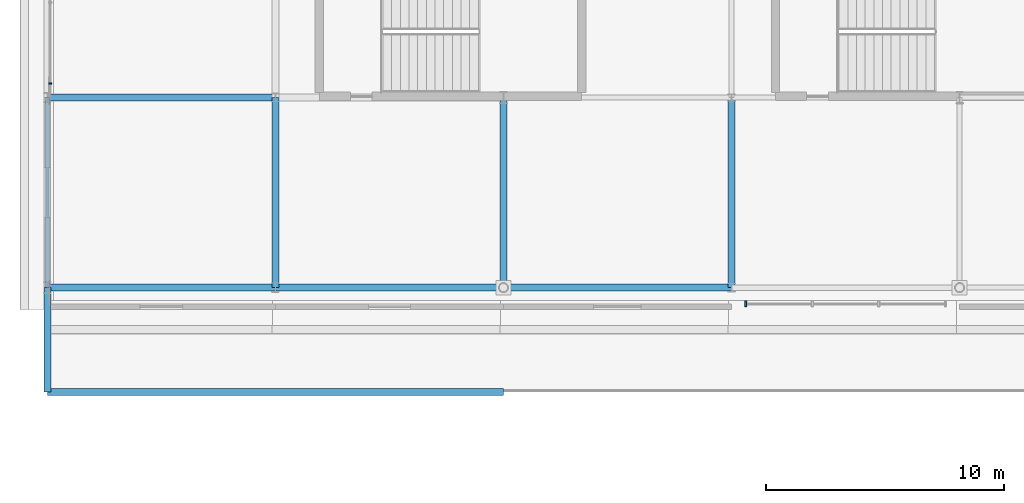
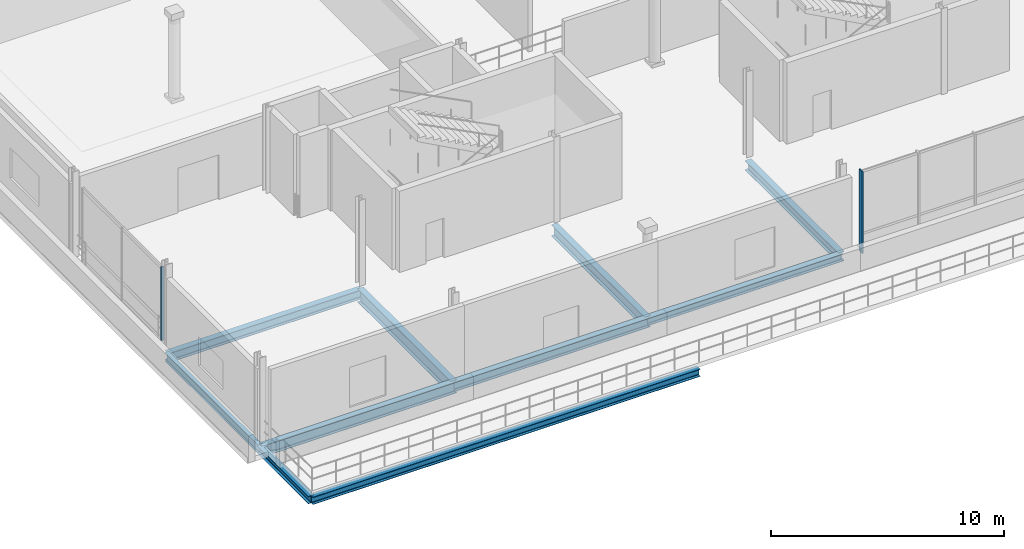
# One storey, part 7 of 36: 10 beams, 2 members, 2 elements without a shape of their own.
"""IFC4 building model written with IfcOpenShell, lengths in metres."""

import ifcopenshell
import ifcopenshell.guid

model = None  # the IFC model being written
_history = None  # IfcOwnerHistory: only IFC2X3 demands one
_inside = {}  # id of a spatial element -> (the spatial element, [elements in it])
_under = {}  # id of a project, library or spatial element -> (it, [spatial elements below it])
_declared = {}  # id of a project -> (the project, [libraries it declares])
_typed = {}  # id of a type object -> (the type object, [elements of that type])
_made_of = {}  # id of a material, layer set ... -> (it, [elements and type objects made of it])


def new_model(schema):
    """Start an empty IFC model of exactly this schema.

    Asked for "IFC4X3", IfcOpenShell would pick the latest addendum, in which some entities
    have other attributes; the version numbers below select the first issue.
    IFC2X3 requires an IfcOwnerHistory on every rooted entity: one is made here for all.
    """
    global model, _history
    if schema == "IFC4X3":
        model = ifcopenshell.file(schema_version=(4, 3, 0, 0))
    else:
        model = ifcopenshell.file(schema=schema)
    _inside.clear()
    _under.clear()
    _declared.clear()
    _typed.clear()
    _made_of.clear()
    _history = None
    if model.schema == "IFC2X3":
        org = make("IfcOrganization", Name="unknown")
        user = make(
            "IfcPersonAndOrganization",
            ThePerson=make("IfcPerson", FamilyName="unknown"),
            TheOrganization=org,
        )
        app = make(
            "IfcApplication",
            ApplicationDeveloper=org,
            Version="unknown",
            ApplicationFullName="unknown",
            ApplicationIdentifier="unknown",
        )
        _history = make(
            "IfcOwnerHistory",
            OwningUser=user,
            OwningApplication=app,
            ChangeAction="ADDED",
            CreationDate=0,
        )
    return model


def make(cls, **values):
    """One entity of the class cls with the attributes given. An attribute that is None is left unset."""
    return model.create_entity(
        cls, **{name: value for name, value in values.items() if value is not None}
    )


def rooted(cls, **values):
    """An entity with a GlobalId (a new one), such as an element, a storey or a relation."""
    return make(cls, GlobalId=ifcopenshell.guid.new(), OwnerHistory=_history, **values)


def si_unit(unit_type, name, prefix=None):
    """IfcSIUnit, for example si_unit("LENGTHUNIT", "METRE", prefix="MILLI")."""
    return make("IfcSIUnit", UnitType=unit_type, Prefix=prefix, Name=name)


def assignment(units):
    """IfcUnitAssignment: the units of a project."""
    return None if units is None else make("IfcUnitAssignment", Units=units)


def point(xyz):
    """IfcCartesianPoint."""
    return None if xyz is None else make("IfcCartesianPoint", Coordinates=xyz)


def direction(xyz):
    """IfcDirection."""
    return None if xyz is None else make("IfcDirection", DirectionRatios=xyz)


def frame(location, z_axis=None, x_axis=None):
    """IfcAxis2Placement3D, a coordinate frame: its origin and axes. An axis left out is left unset."""
    return make(
        "IfcAxis2Placement3D",
        Location=point(location),
        Axis=direction(z_axis),
        RefDirection=direction(x_axis),
    )


def frame_2d(location, x_axis=None):
    """IfcAxis2Placement2D, a coordinate frame in the plane: its origin and x axis."""
    return make(
        "IfcAxis2Placement2D", Location=point(location), RefDirection=direction(x_axis)
    )


def origin():
    """The frame at (0, 0, 0) with its axes left unset."""
    return frame((0.0, 0.0, 0.0))


def origin_2d():
    """The frame at (0, 0) in the plane with its x axis left unset."""
    return frame_2d((0.0, 0.0))


def place(relative_to, where):
    """IfcLocalPlacement: puts the frame where relative to a parent placement (None: the world)."""
    return make(
        "IfcLocalPlacement", PlacementRelTo=relative_to, RelativePlacement=where
    )


def context(
    kind, dimensions, precision=None, world=None, true_north=None, identifier=None
):
    """IfcGeometricRepresentationContext, for example the 3D "Model" context."""
    return make(
        "IfcGeometricRepresentationContext",
        ContextIdentifier=identifier,
        ContextType=kind,
        CoordinateSpaceDimension=dimensions,
        Precision=precision,
        WorldCoordinateSystem=world,
        TrueNorth=true_north,
    )


def subcontext(parent, identifier, kind, view, scale=None):
    """IfcGeometricRepresentationSubContext, for example "Body" below "Model"."""
    return make(
        "IfcGeometricRepresentationSubContext",
        ContextIdentifier=identifier,
        ContextType=kind,
        ParentContext=parent,
        TargetScale=scale,
        TargetView=view,
    )


def project(units=None, contexts=None):
    """IfcProject with its units and contexts."""
    return rooted(
        "IfcProject",
        Name="project",
        RepresentationContexts=contexts,
        UnitsInContext=assignment(units),
    )


def spatial(cls, under=None, at=None, **own):
    """A site, building, storey or space (cls), placed at a placement, below another one or the project."""
    s = rooted(cls, ObjectPlacement=at, **own)
    if under is not None:
        _under.setdefault(under.id(), (under, []))[1].append(s)
    return s


def profile(cls, at=None, kind="AREA", **sizes):
    """A parametric profile (cls). Its sizes go by their IFC names, for example OverallWidth=200.0."""
    return make(cls, ProfileType=kind, Position=at, **sizes)


def rectangle(**sizes):
    """IfcRectangleProfileDef."""
    return profile("IfcRectangleProfileDef", **sizes)


def i_section(**sizes):
    """IfcIShapeProfileDef."""
    return profile("IfcIShapeProfileDef", **sizes)


def extrude(swept, where, along, depth):
    """IfcExtrudedAreaSolid: the profile swept, set in the frame where, extruded along a direction by depth."""
    return make(
        "IfcExtrudedAreaSolid",
        SweptArea=swept,
        Position=where,
        ExtrudedDirection=direction(along),
        Depth=depth,
    )


def shape(context_of_items, identifier, shape_type, items):
    """IfcShapeRepresentation: the items that make up one representation, for example the "Body"."""
    return make(
        "IfcShapeRepresentation",
        ContextOfItems=context_of_items,
        RepresentationIdentifier=identifier,
        RepresentationType=shape_type,
        Items=items,
    )


def material(Name=None, Category=None):
    """IfcMaterial."""
    return make("IfcMaterial", Name=Name, Category=Category)


def material_profile(
    of_material, cross_section, Name=None, Category=None, Priority=None
):
    """IfcMaterialProfile: a cross section and its material."""
    return make(
        "IfcMaterialProfile",
        Name=Name,
        Material=of_material,
        Profile=cross_section,
        Priority=Priority,
        Category=Category,
    )


def profile_set(profiles, Name=None, composite=None):
    """IfcMaterialProfileSet."""
    return make(
        "IfcMaterialProfileSet",
        Name=Name,
        MaterialProfiles=profiles,
        CompositeProfile=composite,
    )


def made_of(thing, what):
    """Note that an element or type object is made of a material, layer set ...; save() writes the relation."""
    if what is not None:
        _made_of.setdefault(what.id(), (what, []))[1].append(thing)
    return thing


def type_object(cls, material=None, **own):
    """A type object (cls), such as IfcWallType, which elements share."""
    return made_of(rooted(cls, **own), material)


def element(
    cls,
    number,
    at=None,
    inside=None,
    cuts=None,
    type_object=None,
    material=None,
    context=None,
    identifier="Body",
    shape_type=None,
    held_by="IfcProductDefinitionShape",
    body=None,
    shapes=None,
    **own,
):
    """One element of the class cls, such as IfcWall. Its Tag is "e" and its number.

    at: its placement. inside: the storey or other place that contains it. cuts: it is an
    opening in that element (IfcRelVoidsElement). A single representation is given by context,
    identifier, shape_type and body (its items); several are given by shapes. held_by: the class
    of the entity that holds the representations. save() writes the other relations.
    """
    e = rooted(cls, Tag="e%d" % number, ObjectPlacement=at, **own)
    if body is not None:
        shapes = [shape(context, identifier, shape_type, body)]
    if shapes is not None:
        e.Representation = make(held_by, Representations=shapes)
    if inside is not None:
        _inside.setdefault(inside.id(), (inside, []))[1].append(e)
    if cuts is not None:
        rooted(
            "IfcRelVoidsElement", RelatingBuildingElement=cuts, RelatedOpeningElement=e
        )
    if type_object is not None:
        _typed.setdefault(type_object.id(), (type_object, []))[1].append(e)
    return made_of(e, material)


def aggregate(whole, parts):
    """IfcRelAggregates: a whole, such as a stair, and the parts it consists of."""
    return rooted("IfcRelAggregates", RelatingObject=whole, RelatedObjects=parts)


def save(model, path):
    """Write the relations noted so far, then the file.

    IfcRelAggregates (storeys below a building ...), IfcRelContainedInSpatialStructure (elements
    in a storey), IfcRelDefinesByType, IfcRelAssociatesMaterial and IfcRelDeclares: one each for
    every whole, place, type object, material and project.
    """
    for whole, parts in _under.values():
        aggregate(whole, parts)
    for where, things in _inside.values():
        rooted(
            "IfcRelContainedInSpatialStructure",
            RelatedElements=things,
            RelatingStructure=where,
        )
    for kind, things in _typed.values():
        rooted("IfcRelDefinesByType", RelatedObjects=things, RelatingType=kind)
    for what, things in _made_of.values():
        rooted("IfcRelAssociatesMaterial", RelatedObjects=things, RelatingMaterial=what)
    for by, libraries in _declared.values():
        rooted("IfcRelDeclares", RelatingContext=by, RelatedDefinitions=libraries)
    model.write(path)


model = new_model("IFC4")

# Units and contexts
model_context = context("Model", 3, precision=1e-05, world=origin(), true_north=direction((0.0, 1.0)))
body_context = subcontext(model_context, "Body", "Model", "MODEL_VIEW")
ifc_project = project(units=[si_unit("LENGTHUNIT", "METRE"), si_unit("AREAUNIT", "SQUARE_METRE"), si_unit("VOLUMEUNIT", "CUBIC_METRE"), si_unit("PLANEANGLEUNIT", "RADIAN"), si_unit("MASSUNIT", "GRAM", prefix="KILO")], contexts=[model_context])

# Site, building, storey
site_placement = place(None, origin())
site = spatial("IfcSite", under=ifc_project, at=site_placement, CompositionType="ELEMENT")
building_placement = place(site_placement, origin())
building = spatial("IfcBuilding", under=site, at=building_placement, Name="Danafjord Basin Convention Centre", CompositionType="ELEMENT")
storey_placement = place(building_placement, frame((0.0, 0.0, 20.39990234375)))
storey = spatial("IfcBuildingStorey", under=building, at=storey_placement, Name="L04", CompositionType="ELEMENT", Elevation=20.39990234375)

# Beams
ifc_material_1 = material(Name="Steel S355", Category="steel")
ifc_material_profile_1 = material_profile(ifc_material_1, i_section(OverallWidth=0.300048828125, OverallDepth=0.389892578125, WebThickness=0.010986328125, FlangeThickness=0.01904296875, FilletRadius=0.027099609375, at=origin_2d()), Name="HEA 400")
ifc_profile_set_1 = profile_set([ifc_material_profile_1], Name="Steel S355")
beam_type_1 = type_object("IfcBeamType", Name="BEAM-BM-HEA400", PredefinedType="BEAM", material=ifc_profile_set_1)
beam_1_placement = place(storey_placement, frame((19.199951171875, 8.0, -0.4208984375), z_axis=(1.0, 0.0, 0.0), x_axis=(0.0, 1.0, 0.0)))
element("IfcBeam", 1, at=beam_1_placement, inside=storey, type_object=beam_type_1, Name="L04 girder BM-HEA400", PredefinedType="BEAM", context=body_context, shape_type="SweptSolid", body=[
    extrude(i_section(OverallWidth=0.300048828125, OverallDepth=0.389892578125, WebThickness=0.010986328125, FlangeThickness=0.01904296875, FilletRadius=0.027099609375, at=origin_2d()), origin(), (0.0, 0.0, 1.0), 9.60009765625),
])
beam_2_placement = place(storey_placement, frame((0.0, 3.60009765625, -0.4248046875), z_axis=(0.0, 1.0, 0.0), x_axis=(-1.0, 0.0, 0.0)))
element("IfcBeam", 2, at=beam_2_placement, inside=storey, type_object=beam_type_1, Name="L04 terrace support girder", PredefinedType="BEAM", context=body_context, shape_type="SweptSolid", body=[
    extrude(i_section(OverallWidth=0.300048828125, OverallDepth=0.389892578125, WebThickness=0.010986328125, FlangeThickness=0.01904296875, FilletRadius=0.027099609375, at=origin_2d()), origin(), (0.0, 0.0, 1.0), 4.39990234375),
])
beam_3_placement = place(storey_placement, frame((0.0, 3.60009765625, -0.4248046875), z_axis=(1.0, 0.0, 0.0), x_axis=(0.0, 1.0, 0.0)))
element("IfcBeam", 3, at=beam_3_placement, inside=storey, type_object=beam_type_1, Name="L04 terrace support girder", PredefinedType="BEAM", context=body_context, shape_type="SweptSolid", body=[
    extrude(i_section(OverallWidth=0.300048828125, OverallDepth=0.389892578125, WebThickness=0.010986328125, FlangeThickness=0.01904296875, FilletRadius=0.027099609375, at=origin_2d()), origin(), (0.0, 0.0, 1.0), 19.199951171875),
])
ifc_material_profile_2 = material_profile(ifc_material_1, i_section(OverallWidth=0.300048828125, OverallDepth=0.489990234375, WebThickness=0.011962890625, FlangeThickness=0.02294921875, FilletRadius=0.027099609375, at=origin_2d()), Name="HEA 500")
ifc_profile_set_2 = profile_set([ifc_material_profile_2], Name="Steel S355")
beam_type_2 = type_object("IfcBeamType", Name="BEAM-BM-HEA500", PredefinedType="BEAM", material=ifc_profile_set_2)
beam_4_placement = place(storey_placement, frame((0.0, 16.0, -0.468994140625), z_axis=(1.0, 0.0, 0.0), x_axis=(0.0, 1.0, 0.0)))
element("IfcBeam", 4, at=beam_4_placement, inside=storey, type_object=beam_type_2, Name="L04 girder BM-HEA500", PredefinedType="BEAM", context=body_context, shape_type="SweptSolid", body=[
    extrude(i_section(OverallWidth=0.300048828125, OverallDepth=0.489990234375, WebThickness=0.011962890625, FlangeThickness=0.02294921875, FilletRadius=0.027099609375, at=origin_2d()), origin(), (0.0, 0.0, 1.0), 9.60009765625),
])
beam_5_placement = place(storey_placement, frame((9.60009765625, 8.0, -0.470947265625), z_axis=(1.0, 0.0, 0.0), x_axis=(0.0, 1.0, 0.0)))
element("IfcBeam", 5, at=beam_5_placement, inside=storey, type_object=beam_type_2, Name="L04 girder BM-HEA500", PredefinedType="BEAM", context=body_context, shape_type="SweptSolid", body=[
    extrude(i_section(OverallWidth=0.300048828125, OverallDepth=0.489990234375, WebThickness=0.011962890625, FlangeThickness=0.02294921875, FilletRadius=0.027099609375, at=origin_2d()), origin(), (0.0, 0.0, 1.0), 9.599853515625),
])
ifc_material_profile_3 = material_profile(ifc_material_1, i_section(OverallWidth=0.300048828125, OverallDepth=0.590087890625, WebThickness=0.012939453125, FlangeThickness=0.02490234375, FilletRadius=0.027099609375, at=origin_2d()), Name="HEA 600")
ifc_profile_set_3 = profile_set([ifc_material_profile_3], Name="Steel S355")
beam_type_3 = type_object("IfcBeamType", Name="BEAM-BM-HEA600", PredefinedType="BEAM", material=ifc_profile_set_3)
beam_6_placement = place(storey_placement, frame((0.0, 8.0, -0.52099609375), z_axis=(1.0, 0.0, 0.0), x_axis=(0.0, 1.0, 0.0)))
element("IfcBeam", 6, at=beam_6_placement, inside=storey, type_object=beam_type_3, Name="L04 girder BM-HEA600", PredefinedType="BEAM", context=body_context, shape_type="SweptSolid", body=[
    extrude(i_section(OverallWidth=0.300048828125, OverallDepth=0.590087890625, WebThickness=0.012939453125, FlangeThickness=0.02490234375, FilletRadius=0.027099609375, at=origin_2d()), origin(), (0.0, 0.0, 1.0), 9.60009765625),
])
ifc_material_profile_4 = material_profile(ifc_material_1, i_section(OverallWidth=0.300048828125, OverallDepth=0.5, WebThickness=0.014404296875, FlangeThickness=0.028076171875, FilletRadius=0.027099609375, at=origin_2d()), Name="HEB 500")
ifc_profile_set_4 = profile_set([ifc_material_profile_4], Name="Steel S355")
beam_type_4 = type_object("IfcBeamType", Name="BEAM-BM-HEB500", PredefinedType="BEAM", material=ifc_profile_set_4)
beam_7_placement = place(storey_placement, frame((28.800048828125, 8.0, -0.473876953125), z_axis=(0.0, 1.0, 0.0), x_axis=(-1.0, 0.0, 0.0)))
element("IfcBeam", 7, at=beam_7_placement, inside=storey, type_object=beam_type_4, Name="L04 transverse girder BM-HEB500", PredefinedType="BEAM", context=body_context, shape_type="SweptSolid", body=[
    extrude(i_section(OverallWidth=0.300048828125, OverallDepth=0.5, WebThickness=0.014404296875, FlangeThickness=0.028076171875, FilletRadius=0.027099609375, at=origin_2d()), origin(), (0.0, 0.0, 1.0), 8.0),
])
ifc_material_profile_5 = material_profile(ifc_material_1, i_section(OverallWidth=0.300048828125, OverallDepth=0.60009765625, WebThickness=0.015380859375, FlangeThickness=0.030029296875, FilletRadius=0.027099609375, at=origin_2d()), Name="HEB 600")
ifc_profile_set_5 = profile_set([ifc_material_profile_5], Name="Steel S355")
beam_type_5 = type_object("IfcBeamType", Name="BEAM-BM-HEB600", PredefinedType="BEAM", material=ifc_profile_set_5)
beam_8_placement = place(storey_placement, frame((19.199951171875, 8.0, -0.52392578125), z_axis=(0.0, 1.0, 0.0), x_axis=(-1.0, 0.0, 0.0)))
element("IfcBeam", 8, at=beam_8_placement, inside=storey, type_object=beam_type_5, Name="L04 transverse girder BM-HEB600", PredefinedType="BEAM", context=body_context, shape_type="SweptSolid", body=[
    extrude(i_section(OverallWidth=0.300048828125, OverallDepth=0.60009765625, WebThickness=0.015380859375, FlangeThickness=0.030029296875, FilletRadius=0.027099609375, at=origin_2d()), origin(), (0.0, 0.0, 1.0), 8.0),
])
ifc_material_profile_6 = material_profile(ifc_material_1, i_section(OverallWidth=0.300048828125, OverallDepth=0.699951171875, WebThickness=0.01708984375, FlangeThickness=0.031982421875, FilletRadius=0.027099609375, at=origin_2d()), Name="HEB 700")
ifc_profile_set_6 = profile_set([ifc_material_profile_6], Name="Steel S355")
beam_type_6 = type_object("IfcBeamType", Name="BEAM-BM-HEB700", PredefinedType="BEAM", material=ifc_profile_set_6)
beam_9_placement = place(storey_placement, frame((9.60009765625, 8.0, -0.573974609375), z_axis=(0.0, 1.0, 0.0), x_axis=(-1.0, 0.0, 0.0)))
element("IfcBeam", 9, at=beam_9_placement, inside=storey, type_object=beam_type_6, Name="L04 transverse girder BM-HEB700", PredefinedType="BEAM", context=body_context, shape_type="SweptSolid", body=[
    extrude(i_section(OverallWidth=0.300048828125, OverallDepth=0.699951171875, WebThickness=0.01708984375, FlangeThickness=0.031982421875, FilletRadius=0.027099609375, at=origin_2d()), origin(), (0.0, 0.0, 1.0), 8.0),
])
ifc_material_profile_7 = material_profile(ifc_material_1, i_section(OverallWidth=0.18994140625, OverallDepth=0.449951171875, WebThickness=0.009521484375, FlangeThickness=0.0146484375, FilletRadius=0.02099609375, at=origin_2d()), Name="IPE 450")
ifc_profile_set_7 = profile_set([ifc_material_profile_7], Name="Steel S355")
beam_type_7 = type_object("IfcBeamType", Name="BEAM-SP-IPE450", PredefinedType="SPANDREL", material=ifc_profile_set_7)
beam_10_placement = place(storey_placement, frame((0.0, 8.0, -0.448974609375), z_axis=(0.0, 1.0, 0.0), x_axis=(-1.0, 0.0, 0.0)))
element("IfcBeam", 10, at=beam_10_placement, inside=storey, type_object=beam_type_7, Name="L04 transverse girder SP-IPE450", PredefinedType="SPANDREL", context=body_context, shape_type="SweptSolid", body=[
    extrude(i_section(OverallWidth=0.18994140625, OverallDepth=0.449951171875, WebThickness=0.009521484375, FlangeThickness=0.0146484375, FilletRadius=0.02099609375, at=origin_2d()), origin(), (0.0, 0.0, 1.0), 8.0),
])

# Curtain wall, member
ifc_material_2 = material(Name="Anodised aluminium and triple glazing", Category="aluminium")
curtain_wall_type = type_object("IfcCurtainWallType", Name="CW-CW-TERR", PredefinedType="NOTDEFINED", material=ifc_material_2)
curtain_wall_1_placement = place(storey_placement, origin())
curtain_wall_1 = element("IfcCurtainWall", 11, at=curtain_wall_1_placement, inside=storey, type_object=curtain_wall_type, Name="L04 CW-TERR unitised curtain wall bay 95", PredefinedType="NOTDEFINED")
ifc_material_3 = material(Name="Anodised aluminium EN AW-6060", Category="aluminium")
ifc_material_profile_8 = material_profile(ifc_material_3, rectangle(XDim=0.06005859375, YDim=0.139892578125, at=origin_2d()), Name="MULL 60x140")
ifc_profile_set_8 = profile_set([ifc_material_profile_8], Name="Anodised aluminium EN AW-6060")
member_type_1 = type_object("IfcMemberType", Name="MEM-ML-140", PredefinedType="MULLION", material=ifc_profile_set_8)
member_1_placement = place(storey_placement, frame((0.1201171875, 16.60009765625, -0.02490234375), z_axis=(0.0, 0.0, 1.0), x_axis=(0.0, -1.0, 0.0)))
member_1 = element("IfcMember", 12, at=member_1_placement, type_object=member_type_1, Name="CW-L04-095 mullion 3", PredefinedType="MULLION", context=body_context, shape_type="SweptSolid", body=[
    extrude(rectangle(XDim=0.06005859375, YDim=0.139892578125, at=origin_2d()), origin(), (0.0, 0.0, 1.0), 3.875),
])
aggregate(curtain_wall_1, [member_1])

curtain_wall_2_placement = place(storey_placement, origin())
curtain_wall_2 = element("IfcCurtainWall", 13, at=curtain_wall_2_placement, inside=storey, type_object=curtain_wall_type, Name="L04 CW-TERR unitised curtain wall bay 33", PredefinedType="NOTDEFINED")
ifc_material_profile_9 = material_profile(ifc_material_3, rectangle(XDim=0.070068359375, YDim=0.260009765625, at=origin_2d()), Name="MULL 70x260")
ifc_profile_set_9 = profile_set([ifc_material_profile_9], Name="Anodised aluminium EN AW-6060")
member_type_2 = type_object("IfcMemberType", Name="MEM-ML-260", PredefinedType="MULLION", material=ifc_profile_set_9)
member_2_placement = place(storey_placement, frame((29.39990234375, 7.320068359375, -0.02490234375), z_axis=(0.0, 0.0, 1.0), x_axis=(1.0, 0.0, 0.0)))
member_2 = element("IfcMember", 14, at=member_2_placement, type_object=member_type_2, Name="CW-L04-033 mullion 1", PredefinedType="MULLION", context=body_context, shape_type="SweptSolid", body=[
    extrude(rectangle(XDim=0.070068359375, YDim=0.260009765625, at=origin_2d()), origin(), (0.0, 0.0, 1.0), 4.294921875),
])
aggregate(curtain_wall_2, [member_2])

save(model, "model.ifc")
